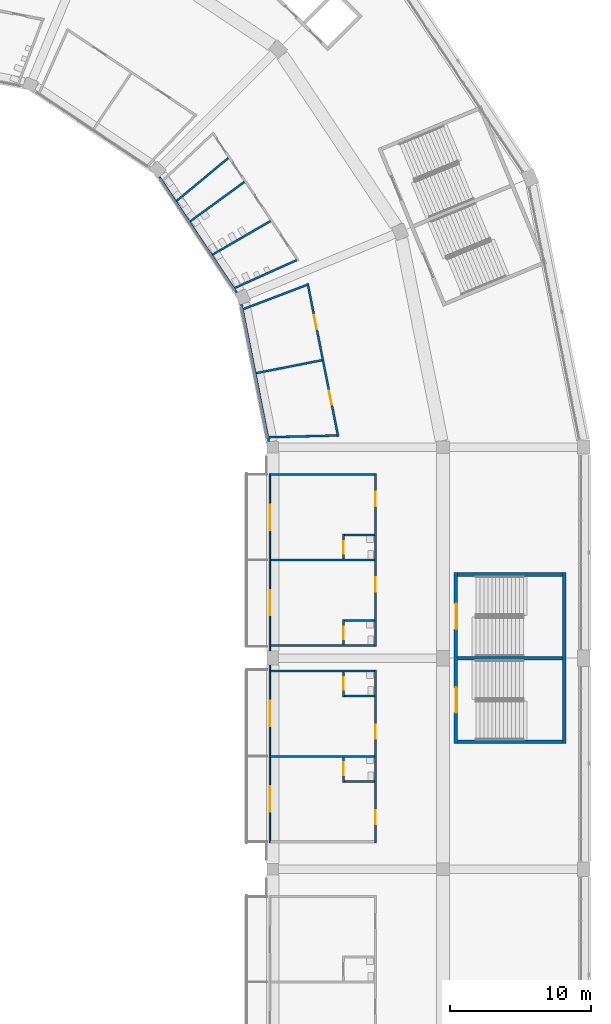
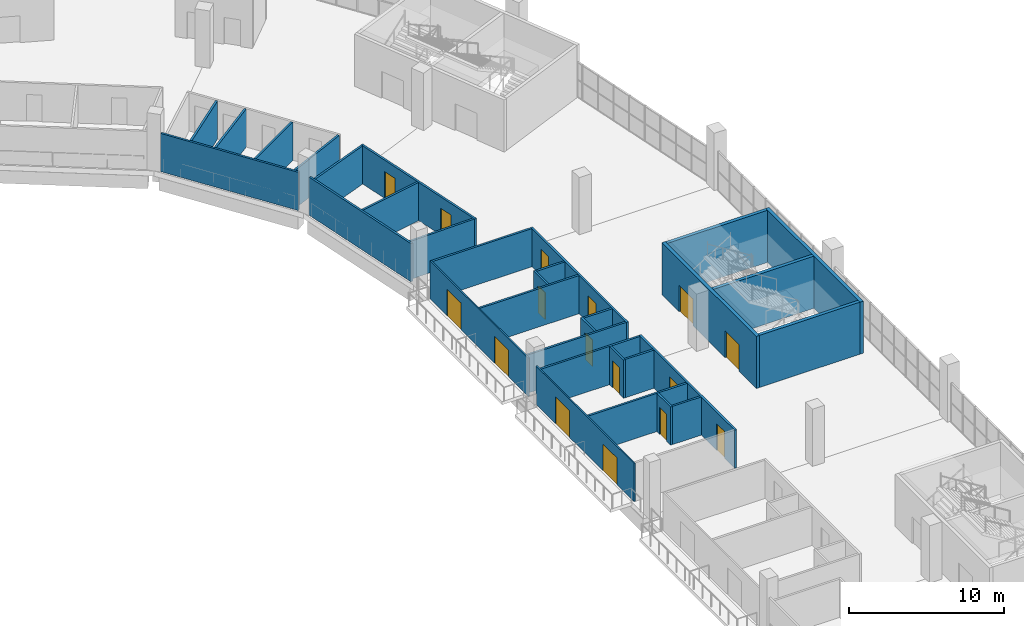
# One storey, part 86 of 199: 32 walls, 16 doors, 16 openings.
"""IFC4 building model written with IfcOpenShell, lengths in metres."""

import ifcopenshell
import ifcopenshell.guid

model = None  # the IFC model being written
_history = None  # IfcOwnerHistory: only IFC2X3 demands one
_inside = {}  # id of a spatial element -> (the spatial element, [elements in it])
_under = {}  # id of a project, library or spatial element -> (it, [spatial elements below it])
_declared = {}  # id of a project -> (the project, [libraries it declares])
_typed = {}  # id of a type object -> (the type object, [elements of that type])
_made_of = {}  # id of a material, layer set ... -> (it, [elements and type objects made of it])


def new_model(schema):
    """Start an empty IFC model of exactly this schema.

    Asked for "IFC4X3", IfcOpenShell would pick the latest addendum, in which some entities
    have other attributes; the version numbers below select the first issue.
    IFC2X3 requires an IfcOwnerHistory on every rooted entity: one is made here for all.
    """
    global model, _history
    if schema == "IFC4X3":
        model = ifcopenshell.file(schema_version=(4, 3, 0, 0))
    else:
        model = ifcopenshell.file(schema=schema)
    _inside.clear()
    _under.clear()
    _declared.clear()
    _typed.clear()
    _made_of.clear()
    _history = None
    if model.schema == "IFC2X3":
        org = make("IfcOrganization", Name="unknown")
        user = make(
            "IfcPersonAndOrganization",
            ThePerson=make("IfcPerson", FamilyName="unknown"),
            TheOrganization=org,
        )
        app = make(
            "IfcApplication",
            ApplicationDeveloper=org,
            Version="unknown",
            ApplicationFullName="unknown",
            ApplicationIdentifier="unknown",
        )
        _history = make(
            "IfcOwnerHistory",
            OwningUser=user,
            OwningApplication=app,
            ChangeAction="ADDED",
            CreationDate=0,
        )
    return model


def make(cls, **values):
    """One entity of the class cls with the attributes given. An attribute that is None is left unset."""
    return model.create_entity(
        cls, **{name: value for name, value in values.items() if value is not None}
    )


def rooted(cls, **values):
    """An entity with a GlobalId (a new one), such as an element, a storey or a relation."""
    return make(cls, GlobalId=ifcopenshell.guid.new(), OwnerHistory=_history, **values)


def si_unit(unit_type, name, prefix=None):
    """IfcSIUnit, for example si_unit("LENGTHUNIT", "METRE", prefix="MILLI")."""
    return make("IfcSIUnit", UnitType=unit_type, Prefix=prefix, Name=name)


def assignment(units):
    """IfcUnitAssignment: the units of a project."""
    return None if units is None else make("IfcUnitAssignment", Units=units)


def point(xyz):
    """IfcCartesianPoint."""
    return None if xyz is None else make("IfcCartesianPoint", Coordinates=xyz)


def direction(xyz):
    """IfcDirection."""
    return None if xyz is None else make("IfcDirection", DirectionRatios=xyz)


def frame(location, z_axis=None, x_axis=None):
    """IfcAxis2Placement3D, a coordinate frame: its origin and axes. An axis left out is left unset."""
    return make(
        "IfcAxis2Placement3D",
        Location=point(location),
        Axis=direction(z_axis),
        RefDirection=direction(x_axis),
    )


def frame_2d(location, x_axis=None):
    """IfcAxis2Placement2D, a coordinate frame in the plane: its origin and x axis."""
    return make(
        "IfcAxis2Placement2D", Location=point(location), RefDirection=direction(x_axis)
    )


def origin():
    """The frame at (0, 0, 0) with its axes left unset."""
    return frame((0.0, 0.0, 0.0))


def place(relative_to, where):
    """IfcLocalPlacement: puts the frame where relative to a parent placement (None: the world)."""
    return make(
        "IfcLocalPlacement", PlacementRelTo=relative_to, RelativePlacement=where
    )


def context(
    kind, dimensions, precision=None, world=None, true_north=None, identifier=None
):
    """IfcGeometricRepresentationContext, for example the 3D "Model" context."""
    return make(
        "IfcGeometricRepresentationContext",
        ContextIdentifier=identifier,
        ContextType=kind,
        CoordinateSpaceDimension=dimensions,
        Precision=precision,
        WorldCoordinateSystem=world,
        TrueNorth=true_north,
    )


def subcontext(parent, identifier, kind, view, scale=None):
    """IfcGeometricRepresentationSubContext, for example "Body" below "Model"."""
    return make(
        "IfcGeometricRepresentationSubContext",
        ContextIdentifier=identifier,
        ContextType=kind,
        ParentContext=parent,
        TargetScale=scale,
        TargetView=view,
    )


def project(units=None, contexts=None):
    """IfcProject with its units and contexts."""
    return rooted(
        "IfcProject",
        Name="project",
        RepresentationContexts=contexts,
        UnitsInContext=assignment(units),
    )


def spatial(cls, under=None, at=None, **own):
    """A site, building, storey or space (cls), placed at a placement, below another one or the project."""
    s = rooted(cls, ObjectPlacement=at, **own)
    if under is not None:
        _under.setdefault(under.id(), (under, []))[1].append(s)
    return s


def profile(cls, at=None, kind="AREA", **sizes):
    """A parametric profile (cls). Its sizes go by their IFC names, for example OverallWidth=200.0."""
    return make(cls, ProfileType=kind, Position=at, **sizes)


def rectangle(**sizes):
    """IfcRectangleProfileDef."""
    return profile("IfcRectangleProfileDef", **sizes)


def extrude(swept, where, along, depth):
    """IfcExtrudedAreaSolid: the profile swept, set in the frame where, extruded along a direction by depth."""
    return make(
        "IfcExtrudedAreaSolid",
        SweptArea=swept,
        Position=where,
        ExtrudedDirection=direction(along),
        Depth=depth,
    )


def shape(context_of_items, identifier, shape_type, items):
    """IfcShapeRepresentation: the items that make up one representation, for example the "Body"."""
    return make(
        "IfcShapeRepresentation",
        ContextOfItems=context_of_items,
        RepresentationIdentifier=identifier,
        RepresentationType=shape_type,
        Items=items,
    )


def material(Name=None, Category=None):
    """IfcMaterial."""
    return make("IfcMaterial", Name=Name, Category=Category)


def layer(
    of_material, thickness, ventilated=None, Name=None, Category=None, Priority=None
):
    """IfcMaterialLayer: one layer of a wall or slab, of a material (None: an air gap)."""
    return make(
        "IfcMaterialLayer",
        Material=of_material,
        LayerThickness=thickness,
        IsVentilated=ventilated,
        Name=Name,
        Category=Category,
        Priority=Priority,
    )


def layer_set(layers, Name=None):
    """IfcMaterialLayerSet."""
    return make("IfcMaterialLayerSet", MaterialLayers=layers, LayerSetName=Name)


def made_of(thing, what):
    """Note that an element or type object is made of a material, layer set ...; save() writes the relation."""
    if what is not None:
        _made_of.setdefault(what.id(), (what, []))[1].append(thing)
    return thing


def type_object(cls, material=None, **own):
    """A type object (cls), such as IfcWallType, which elements share."""
    return made_of(rooted(cls, **own), material)


def element(
    cls,
    number,
    at=None,
    inside=None,
    cuts=None,
    type_object=None,
    material=None,
    context=None,
    identifier="Body",
    shape_type=None,
    held_by="IfcProductDefinitionShape",
    body=None,
    shapes=None,
    **own,
):
    """One element of the class cls, such as IfcWall. Its Tag is "e" and its number.

    at: its placement. inside: the storey or other place that contains it. cuts: it is an
    opening in that element (IfcRelVoidsElement). A single representation is given by context,
    identifier, shape_type and body (its items); several are given by shapes. held_by: the class
    of the entity that holds the representations. save() writes the other relations.
    """
    e = rooted(cls, Tag="e%d" % number, ObjectPlacement=at, **own)
    if body is not None:
        shapes = [shape(context, identifier, shape_type, body)]
    if shapes is not None:
        e.Representation = make(held_by, Representations=shapes)
    if inside is not None:
        _inside.setdefault(inside.id(), (inside, []))[1].append(e)
    if cuts is not None:
        rooted(
            "IfcRelVoidsElement", RelatingBuildingElement=cuts, RelatedOpeningElement=e
        )
    if type_object is not None:
        _typed.setdefault(type_object.id(), (type_object, []))[1].append(e)
    return made_of(e, material)


def fill(opening, filler):
    """IfcRelFillsElement: the door or window that sits in an opening."""
    return rooted(
        "IfcRelFillsElement",
        RelatingOpeningElement=opening,
        RelatedBuildingElement=filler,
    )


def aggregate(whole, parts):
    """IfcRelAggregates: a whole, such as a stair, and the parts it consists of."""
    return rooted("IfcRelAggregates", RelatingObject=whole, RelatedObjects=parts)


def save(model, path):
    """Write the relations noted so far, then the file.

    IfcRelAggregates (storeys below a building ...), IfcRelContainedInSpatialStructure (elements
    in a storey), IfcRelDefinesByType, IfcRelAssociatesMaterial and IfcRelDeclares: one each for
    every whole, place, type object, material and project.
    """
    for whole, parts in _under.values():
        aggregate(whole, parts)
    for where, things in _inside.values():
        rooted(
            "IfcRelContainedInSpatialStructure",
            RelatedElements=things,
            RelatingStructure=where,
        )
    for kind, things in _typed.values():
        rooted("IfcRelDefinesByType", RelatedObjects=things, RelatingType=kind)
    for what, things in _made_of.values():
        rooted("IfcRelAssociatesMaterial", RelatedObjects=things, RelatingMaterial=what)
    for by, libraries in _declared.values():
        rooted("IfcRelDeclares", RelatingContext=by, RelatedDefinitions=libraries)
    model.write(path)


model = new_model("IFC4")

# Units and contexts
model_context = context("Model", 3, precision=1e-05, world=origin(), true_north=direction((0.0, 1.0)))
body_context = subcontext(model_context, "Body", "Model", "MODEL_VIEW")
ifc_project = project(units=[si_unit("LENGTHUNIT", "METRE"), si_unit("AREAUNIT", "SQUARE_METRE"), si_unit("VOLUMEUNIT", "CUBIC_METRE"), si_unit("PLANEANGLEUNIT", "RADIAN"), si_unit("MASSUNIT", "GRAM", prefix="KILO")], contexts=[model_context])

# Site, building, storey
site_placement = place(None, origin())
site = spatial("IfcSite", under=ifc_project, at=site_placement, CompositionType="ELEMENT")
building_placement = place(site_placement, origin())
building = spatial("IfcBuilding", under=site, at=building_placement, Name="Ogive Plaza Stadium", CompositionType="ELEMENT")
storey_placement = place(building_placement, frame((0.0, 0.0, 9.0)))
storey = spatial("IfcBuildingStorey", under=building, at=storey_placement, Name="L02", CompositionType="ELEMENT", Elevation=9.0)

# Wall, openings, doors
ifc_material_1 = material(Name="Masonry blockwork", Category="masonry")
ifc_layer_1 = layer(ifc_material_1, 0.14990234375)
ifc_layer_set_1 = layer_set([ifc_layer_1], Name="Blockwork wall 150")
wall_type_1 = type_object("IfcWallType", Name="Blockwork wall 150", PredefinedType="SOLIDWALL", material=ifc_layer_set_1)
wall_1_placement = place(storey_placement, frame((69.199951171875, 38.324951171875, 0.0), z_axis=(0.0, 0.0, 1.0), x_axis=(0.0, 1.0, 0.0)))
wall_1 = element("IfcWall", 1, at=wall_1_placement, inside=storey, type_object=wall_type_1, Name="Wall L02 B01", PredefinedType="SOLIDWALL", context=body_context, shape_type="SweptSolid", body=[
    extrude(rectangle(XDim=12.300048828125, YDim=0.14990234375, at=frame_2d((6.14990234375, 0.0))), origin(), (0.0, 0.0, 1.0), 3.0),
])
opening_1_placement = place(wall_1_placement, frame((3.916015625, 0.0, 0.0)))
opening_1 = element("IfcOpeningElement", 2, at=opening_1_placement, cuts=wall_1, Name="Opening D0605", PredefinedType="OPENING", context=body_context, shape_type="SweptSolid", body=[
    extrude(rectangle(XDim=1.0, YDim=2.10009765625, at=frame_2d((0.5, 1.050048828125))), frame((0.0, 0.074951171875, 0.0), z_axis=(0.0, -1.0, 0.0), x_axis=(1.0, 0.0, 0.0)), (0.0, 0.0, 1.0), 0.14990234375),
])
opening_2_placement = place(wall_1_placement, frame((9.990966796875, 0.0, 0.0)))
opening_2 = element("IfcOpeningElement", 3, at=opening_2_placement, cuts=wall_1, Name="Opening D0606", PredefinedType="OPENING", context=body_context, shape_type="SweptSolid", body=[
    extrude(rectangle(XDim=1.0, YDim=2.10009765625, at=frame_2d((0.5, 1.050048828125))), frame((0.0, 0.074951171875, 0.0), z_axis=(0.0, -1.0, 0.0), x_axis=(1.0, 0.0, 0.0)), (0.0, 0.0, 1.0), 0.14990234375),
])
ifc_material_2 = material(Name="Steel ASTM A572 Grade 50", Category="steel")
door_type_1 = type_object("IfcDoorType", Name="Fire door FD30S 1000 x 2100", OperationType="SINGLE_SWING_LEFT", PredefinedType="DOOR", material=ifc_material_2)
door_1_placement = place(opening_1_placement, origin())
door_1 = element("IfcDoor", 4, at=door_1_placement, inside=storey, type_object=door_type_1, Name="Hospitality Suite B01 door", OperationType="SINGLE_SWING_LEFT", OverallHeight=2.10009765625, OverallWidth=1.0, PredefinedType="DOOR", context=body_context, shape_type="SweptSolid", body=[
    extrude(rectangle(XDim=1.0, YDim=2.10009765625, at=frame_2d((0.5, 1.050048828125))), frame((0.0, 0.02490234375, 0.0), z_axis=(0.0, -1.0, 0.0), x_axis=(1.0, 0.0, 0.0)), (0.0, 0.0, 1.0), 0.050048828125),
])
fill(opening_1, door_1)
door_2_placement = place(opening_2_placement, origin())
door_2 = element("IfcDoor", 5, at=door_2_placement, inside=storey, type_object=door_type_1, Name="Hospitality Suite B01 door", OperationType="SINGLE_SWING_LEFT", OverallHeight=2.10009765625, OverallWidth=1.0, PredefinedType="DOOR", context=body_context, shape_type="SweptSolid", body=[
    extrude(rectangle(XDim=1.0, YDim=2.10009765625, at=frame_2d((0.5, 1.050048828125))), frame((0.0, 0.02490234375, 0.0), z_axis=(0.0, -1.0, 0.0), x_axis=(1.0, 0.0, 0.0)), (0.0, 0.0, 1.0), 0.050048828125),
])
fill(opening_2, door_2)

# Walls
for number, where, z_axis, x_axis, name in (
    (6, (61.75, 38.39990234375, 0.0), (0.0, 0.0, 1.0), (1.0, 0.0, 0.0), "Wall L02 B01"),
    (7, (61.75, 44.47509765625, 0.0), (0.0, 0.0, 1.0), (1.0, 0.0, 0.0), "Wall L02 B01"),
    (8, (61.75, 50.550048828125, 0.0), (0.0, 0.0, 1.0), (1.0, 0.0, 0.0), "Wall L02 B01"),
):
    element("IfcWall", number, at=place(storey_placement, frame(where, z_axis=z_axis, x_axis=x_axis)), inside=storey, type_object=wall_type_1, Name=name, PredefinedType="SOLIDWALL", context=body_context, shape_type="SweptSolid", body=[
        extrude(rectangle(XDim=7.375, YDim=0.14990234375, at=frame_2d((3.6875, 0.0))), origin(), (0.0, 0.0, 1.0), 3.0),
    ])

# Wall, openings, doors
wall_2_placement = place(storey_placement, frame((69.199951171875, 36.675048828125, 0.0), z_axis=(0.0, 0.0, 1.0), x_axis=(0.0, -1.0, 0.0)))
wall_2 = element("IfcWall", 9, at=wall_2_placement, inside=storey, type_object=wall_type_1, Name="Wall L02 B02", PredefinedType="SOLIDWALL", context=body_context, shape_type="SweptSolid", body=[
    extrude(rectangle(XDim=12.300048828125, YDim=0.14990234375, at=frame_2d((6.14990234375, 0.0))), origin(), (0.0, 0.0, 1.0), 3.0),
])
opening_3_placement = place(wall_2_placement, frame((3.916015625, 0.0, 0.0)))
opening_3 = element("IfcOpeningElement", 10, at=opening_3_placement, cuts=wall_2, Name="Opening D0611", PredefinedType="OPENING", context=body_context, shape_type="SweptSolid", body=[
    extrude(rectangle(XDim=1.0, YDim=2.10009765625, at=frame_2d((0.5, 1.050048828125))), frame((0.0, 0.074951171875, 0.0), z_axis=(0.0, -1.0, 0.0), x_axis=(1.0, 0.0, 0.0)), (0.0, 0.0, 1.0), 0.14990234375),
])
opening_4_placement = place(wall_2_placement, frame((9.990966796875, 0.0, 0.0)))
opening_4 = element("IfcOpeningElement", 11, at=opening_4_placement, cuts=wall_2, Name="Opening D0612", PredefinedType="OPENING", context=body_context, shape_type="SweptSolid", body=[
    extrude(rectangle(XDim=1.0, YDim=2.10009765625, at=frame_2d((0.5, 1.050048828125))), frame((0.0, 0.074951171875, 0.0), z_axis=(0.0, -1.0, 0.0), x_axis=(1.0, 0.0, 0.0)), (0.0, 0.0, 1.0), 0.14990234375),
])
door_3_placement = place(opening_3_placement, origin())
door_3 = element("IfcDoor", 12, at=door_3_placement, inside=storey, type_object=door_type_1, Name="Hospitality Suite B02 door", OperationType="SINGLE_SWING_RIGHT", OverallHeight=2.10009765625, OverallWidth=1.0, PredefinedType="DOOR", context=body_context, shape_type="SweptSolid", body=[
    extrude(rectangle(XDim=1.0, YDim=2.10009765625, at=frame_2d((0.5, 1.050048828125))), frame((0.0, 0.02490234375, 0.0), z_axis=(0.0, -1.0, 0.0), x_axis=(1.0, 0.0, 0.0)), (0.0, 0.0, 1.0), 0.050048828125),
])
fill(opening_3, door_3)
door_4_placement = place(opening_4_placement, origin())
door_4 = element("IfcDoor", 13, at=door_4_placement, inside=storey, type_object=door_type_1, Name="Hospitality Suite B02 door", OperationType="SINGLE_SWING_RIGHT", OverallHeight=2.10009765625, OverallWidth=1.0, PredefinedType="DOOR", context=body_context, shape_type="SweptSolid", body=[
    extrude(rectangle(XDim=1.0, YDim=2.10009765625, at=frame_2d((0.5, 1.050048828125))), frame((0.0, 0.02490234375, 0.0), z_axis=(0.0, -1.0, 0.0), x_axis=(1.0, 0.0, 0.0)), (0.0, 0.0, 1.0), 0.050048828125),
])
fill(opening_4, door_4)

# Walls
for number, where, z_axis, x_axis, name in (
    (14, (61.75, 36.60009765625, 0.0), (0.0, 0.0, 1.0), (1.0, 0.0, 0.0), "Wall L02 B02"),
    (15, (61.75, 30.52490234375, 0.0), (0.0, 0.0, 1.0), (1.0, 0.0, 0.0), "Wall L02 B02"),
):
    element("IfcWall", number, at=place(storey_placement, frame(where, z_axis=z_axis, x_axis=x_axis)), inside=storey, type_object=wall_type_1, Name=name, PredefinedType="SOLIDWALL", context=body_context, shape_type="SweptSolid", body=[
        extrude(rectangle(XDim=7.375, YDim=0.14990234375, at=frame_2d((3.6875, 0.0))), origin(), (0.0, 0.0, 1.0), 3.0),
    ])
wall_3_placement = place(storey_placement, frame((59.680908203125, 62.650390625, 0.0), z_axis=(0.0, 0.0, 1.0), x_axis=(0.195086492048, -0.980786042223, 0.0)))
element("IfcWall", 16, at=wall_3_placement, inside=storey, type_object=wall_type_1, Name="Wall L02 B40", PredefinedType="SOLIDWALL", context=body_context, shape_type="SweptSolid", body=[
    extrude(rectangle(XDim=9.94140625, YDim=0.14990234375, at=frame_2d((4.970703125, 0.0))), origin(), (0.0, 0.0, 1.0), 3.0),
])

# Wall, openings, doors
wall_4_placement = place(storey_placement, frame((64.38525390625, 64.1376953125, 0.0), z_axis=(0.0, 0.0, 1.0), x_axis=(0.195083899224, -0.980786557954, 0.0)))
wall_4 = element("IfcWall", 17, at=wall_4_placement, inside=storey, type_object=wall_type_1, Name="Wall L02 B40", PredefinedType="SOLIDWALL", context=body_context, shape_type="SweptSolid", body=[
    extrude(rectangle(XDim=11.09912109375, YDim=0.14990234375, at=frame_2d((5.549560546875, 0.0))), origin(), (0.0, 0.0, 1.0), 3.0),
])
opening_5_placement = place(wall_4_placement, frame((2.3154296875, 0.0, 0.0)))
opening_5 = element("IfcOpeningElement", 18, at=opening_5_placement, cuts=wall_4, Name="Opening D0747", PredefinedType="OPENING", context=body_context, shape_type="SweptSolid", body=[
    extrude(rectangle(XDim=1.0, YDim=2.10009765625, at=frame_2d((0.5, 1.050048828125))), frame((0.0, 0.074951171875, 0.0), z_axis=(0.0, -1.0, 0.0), x_axis=(1.0, 0.0, 0.0)), (0.0, 0.0, 1.0), 0.14990234375),
])
opening_6_placement = place(wall_4_placement, frame((7.78369140625, 0.0, 0.0)))
opening_6 = element("IfcOpeningElement", 19, at=opening_6_placement, cuts=wall_4, Name="Opening D0748", PredefinedType="OPENING", context=body_context, shape_type="SweptSolid", body=[
    extrude(rectangle(XDim=1.0, YDim=2.10009765625, at=frame_2d((0.5, 1.050048828125))), frame((0.0, 0.074951171875, 0.0), z_axis=(0.0, -1.0, 0.0), x_axis=(1.0, 0.0, 0.0)), (0.0, 0.0, 1.0), 0.14990234375),
])
ifc_material_3 = material(Name="Steel ASTM A572 Grade 50", Category="steel")
door_type_2 = type_object("IfcDoorType", Name="Fire door FD60 1000 x 2100", OperationType="SINGLE_SWING_LEFT", PredefinedType="DOOR", material=ifc_material_3)
door_5_placement = place(opening_5_placement, origin())
door_5 = element("IfcDoor", 20, at=door_5_placement, inside=storey, type_object=door_type_2, Name="Hospitality Pantry B40 door", OperationType="SINGLE_SWING_LEFT", OverallHeight=2.10009765625, OverallWidth=1.0, PredefinedType="DOOR", context=body_context, shape_type="SweptSolid", body=[
    extrude(rectangle(XDim=1.0, YDim=2.10009765625, at=frame_2d((0.5, 1.050048828125))), frame((0.0, 0.02490234375, 0.0), z_axis=(0.0, -1.0, 0.0), x_axis=(1.0, 0.0, 0.0)), (0.0, 0.0, 1.0), 0.050048828125),
])
fill(opening_5, door_5)
door_6_placement = place(opening_6_placement, origin())
door_6 = element("IfcDoor", 21, at=door_6_placement, inside=storey, type_object=door_type_2, Name="Hospitality Store B40 door", OperationType="SINGLE_SWING_RIGHT", OverallHeight=2.10009765625, OverallWidth=1.0, PredefinedType="DOOR", context=body_context, shape_type="SweptSolid", body=[
    extrude(rectangle(XDim=1.0, YDim=2.10009765625, at=frame_2d((0.5, 1.050048828125))), frame((0.0, 0.02490234375, 0.0), z_axis=(0.0, -1.0, 0.0), x_axis=(1.0, 0.0, 0.0)), (0.0, 0.0, 1.0), 0.050048828125),
])
fill(opening_6, door_6)

# Walls
wall_5_placement = place(storey_placement, frame((59.822265625, 62.317138671875, 0.0), z_axis=(0.0, 0.0, 1.0), x_axis=(0.934720041951, 0.35538492255, 0.0)))
element("IfcWall", 22, at=wall_5_placement, inside=storey, type_object=wall_type_1, Name="Wall L02 B40", PredefinedType="SOLIDWALL", context=body_context, shape_type="SweptSolid", body=[
    extrude(rectangle(XDim=4.823974609375, YDim=0.14990234375, at=frame_2d((2.412109375, 0.0))), origin(), (0.0, 0.0, 1.0), 3.0),
])
wall_6_placement = place(storey_placement, frame((60.728271484375, 57.76171875, 0.0), z_axis=(0.0, 0.0, 1.0), x_axis=(0.981172300115, 0.19313445443, 0.0)))
element("IfcWall", 23, at=wall_6_placement, inside=storey, type_object=wall_type_1, Name="Wall L02 B40", PredefinedType="SOLIDWALL", context=body_context, shape_type="SweptSolid", body=[
    extrude(rectangle(XDim=4.7568359375, YDim=0.14990234375, at=frame_2d((2.37841796875, 0.0))), origin(), (0.0, 0.0, 1.0), 3.0),
])
wall_7_placement = place(storey_placement, frame((61.634521484375, 53.206298828125, 0.0), z_axis=(0.0, 0.0, 1.0), x_axis=(0.999673752981, 0.025541879345, 0.0)))
element("IfcWall", 24, at=wall_7_placement, inside=storey, type_object=wall_type_1, Name="Wall L02 B40", PredefinedType="SOLIDWALL", context=body_context, shape_type="SweptSolid", body=[
    extrude(rectangle(XDim=4.826904296875, YDim=0.14990234375, at=frame_2d((2.41357421875, 0.0))), origin(), (0.0, 0.0, 1.0), 3.0),
])

# Wall, openings, doors
ifc_material_4 = material(Name="Concrete C40/50", Category="concrete")
ifc_layer_2 = layer(ifc_material_4, 0.25)
ifc_layer_set_2 = layer_set([ifc_layer_2], Name="Concrete C40/50")
wall_type_2 = type_object("IfcWallType", Name="Core wall 250", PredefinedType="SHEAR", material=ifc_layer_set_2)
wall_8_placement = place(storey_placement, frame((74.925048828125, 31.425048828125, 0.0), z_axis=(0.0, 0.0, 1.0), x_axis=(0.0, 1.0, 0.0)))
wall_8 = element("IfcWall", 25, at=wall_8_placement, inside=storey, type_object=wall_type_2, Name="Stair core R02 inner wall", PredefinedType="SHEAR", context=body_context, shape_type="SweptSolid", body=[
    extrude(rectangle(XDim=12.14990234375, YDim=0.25, at=frame_2d((6.074951171875, 0.0))), origin(), (0.0, 0.0, 1.0), 4.090087890625),
])
opening_7_placement = place(wall_8_placement, frame((2.199951171875, 0.0, 0.0)))
opening_7 = element("IfcOpeningElement", 26, at=opening_7_placement, cuts=wall_8, Name="Opening D0047", PredefinedType="OPENING", context=body_context, shape_type="SweptSolid", body=[
    extrude(rectangle(XDim=1.800048828125, YDim=2.10009765625, at=frame_2d((0.89990234375, 1.050048828125))), frame((0.0, 0.125, 0.0), z_axis=(0.0, -1.0, 0.0), x_axis=(1.0, 0.0, 0.0)), (0.0, 0.0, 1.0), 0.25),
])
opening_8_placement = place(wall_8_placement, frame((8.14990234375, 0.0, 0.0)))
opening_8 = element("IfcOpeningElement", 27, at=opening_8_placement, cuts=wall_8, Name="Opening D0048", PredefinedType="OPENING", context=body_context, shape_type="SweptSolid", body=[
    extrude(rectangle(XDim=1.800048828125, YDim=2.10009765625, at=frame_2d((0.89990234375, 1.050048828125))), frame((0.0, 0.125, 0.0), z_axis=(0.0, -1.0, 0.0), x_axis=(1.0, 0.0, 0.0)), (0.0, 0.0, 1.0), 0.25),
])
ifc_material_5 = material(Name="Steel ASTM A572 Grade 50", Category="steel")
door_type_3 = type_object("IfcDoorType", Name="Fire door FD90 pair 1800 x 2100", OperationType="DOUBLE_DOOR_SINGLE_SWING", PredefinedType="DOOR", material=ifc_material_5)
door_7_placement = place(opening_7_placement, origin())
door_7 = element("IfcDoor", 28, at=door_7_placement, inside=storey, type_object=door_type_3, Name="Exit stair R02A door L02", OperationType="DOUBLE_DOOR_SINGLE_SWING", OverallHeight=2.10009765625, OverallWidth=1.800048828125, PredefinedType="DOOR", context=body_context, shape_type="SweptSolid", body=[
    extrude(rectangle(XDim=1.800048828125, YDim=2.10009765625, at=frame_2d((0.89990234375, 1.050048828125))), frame((0.0, 0.02490234375, 0.0), z_axis=(0.0, -1.0, 0.0), x_axis=(1.0, 0.0, 0.0)), (0.0, 0.0, 1.0), 0.050048828125),
])
fill(opening_7, door_7)
door_8_placement = place(opening_8_placement, origin())
door_8 = element("IfcDoor", 29, at=door_8_placement, inside=storey, type_object=door_type_3, Name="Exit stair R02B door L02", OperationType="DOUBLE_DOOR_SINGLE_SWING", OverallHeight=2.10009765625, OverallWidth=1.800048828125, PredefinedType="DOOR", context=body_context, shape_type="SweptSolid", body=[
    extrude(rectangle(XDim=1.800048828125, YDim=2.10009765625, at=frame_2d((0.89990234375, 1.050048828125))), frame((0.0, 0.02490234375, 0.0), z_axis=(0.0, -1.0, 0.0), x_axis=(1.0, 0.0, 0.0)), (0.0, 0.0, 1.0), 0.050048828125),
])
fill(opening_8, door_8)

# Walls
wall_9_placement = place(storey_placement, frame((82.635009765625, 31.425048828125, 0.0), z_axis=(0.0, 0.0, 1.0), x_axis=(0.0, 1.0, 0.0)))
element("IfcWall", 30, at=wall_9_placement, inside=storey, type_object=wall_type_2, Name="Stair core R02 outer wall", PredefinedType="SHEAR", context=body_context, shape_type="SweptSolid", body=[
    extrude(rectangle(XDim=12.14990234375, YDim=0.25, at=frame_2d((6.074951171875, 0.0))), origin(), (0.0, 0.0, 1.0), 4.090087890625),
])
for number, where, z_axis, x_axis, name in (
    (31, (75.050048828125, 31.550048828125, 0.0), (0.0, 0.0, 1.0), (1.0, 0.0, 0.0), "Stair core R02 side wall"),
    (32, (75.050048828125, 43.449951171875, 0.0), (0.0, 0.0, 1.0), (1.0, 0.0, 0.0), "Stair core R02 side wall"),
    (33, (75.050048828125, 37.5, 0.0), (0.0, 0.0, 1.0), (1.0, 0.0, 0.0), "Stair core R02 centre wall"),
):
    element("IfcWall", number, at=place(storey_placement, frame(where, z_axis=z_axis, x_axis=x_axis)), inside=storey, type_object=wall_type_2, Name=name, PredefinedType="SHEAR", context=body_context, shape_type="SweptSolid", body=[
        extrude(rectangle(XDim=7.4599609375, YDim=0.25, at=frame_2d((3.72998046875, 0.0))), origin(), (0.0, 0.0, 1.0), 4.090087890625),
    ])

# Wall, openings, doors
ifc_material_6 = material(Name="Laminated glass in aluminium frame", Category="aluminium")
ifc_layer_3 = layer(ifc_material_6, 0.10009765625)
ifc_layer_set_3 = layer_set([ifc_layer_3], Name="Glazed partition 100")
wall_type_3 = type_object("IfcWallType", Name="Glazed partition 100", PredefinedType="PARTITIONING", material=ifc_layer_set_3)
wall_10_placement = place(storey_placement, frame((61.699951171875, 38.0, 0.0), z_axis=(0.0, 0.0, 1.0), x_axis=(0.0, 1.0, 0.0)))
wall_10 = element("IfcWall", 34, at=wall_10_placement, inside=storey, type_object=wall_type_3, Name="Wall L02 B01", PredefinedType="PARTITIONING", context=body_context, shape_type="SweptSolid", body=[
    extrude(rectangle(XDim=12.625, YDim=0.10009765625, at=frame_2d((6.3125, 0.0))), origin(), (0.0, 0.0, 1.0), 3.0),
])
opening_9_placement = place(wall_10_placement, frame((2.53759765625, 0.0, 0.0)))
opening_9 = element("IfcOpeningElement", 35, at=opening_9_placement, cuts=wall_10, Name="Opening D0607", PredefinedType="OPENING", context=body_context, shape_type="SweptSolid", body=[
    extrude(rectangle(XDim=1.800048828125, YDim=2.10009765625, at=frame_2d((0.89990234375, 1.050048828125))), frame((0.0, 0.050048828125, 0.0), z_axis=(0.0, -1.0, 0.0), x_axis=(1.0, 0.0, 0.0)), (0.0, 0.0, 1.0), 0.10009765625),
])
opening_10_placement = place(wall_10_placement, frame((8.612548828125, 0.0, 0.0)))
opening_10 = element("IfcOpeningElement", 36, at=opening_10_placement, cuts=wall_10, Name="Opening D0608", PredefinedType="OPENING", context=body_context, shape_type="SweptSolid", body=[
    extrude(rectangle(XDim=1.800048828125, YDim=2.10009765625, at=frame_2d((0.89990234375, 1.050048828125))), frame((0.0, 0.050048828125, 0.0), z_axis=(0.0, -1.0, 0.0), x_axis=(1.0, 0.0, 0.0)), (0.0, 0.0, 1.0), 0.10009765625),
])
ifc_material_7 = material(Name="Steel ASTM A572 Grade 50", Category="steel")
door_type_4 = type_object("IfcDoorType", Name="Door pair 1800 x 2100", OperationType="DOUBLE_DOOR_SINGLE_SWING", PredefinedType="DOOR", material=ifc_material_7)
door_9_placement = place(opening_9_placement, origin())
door_9 = element("IfcDoor", 37, at=door_9_placement, inside=storey, type_object=door_type_4, Name="Suite terrace door B01", OperationType="DOUBLE_DOOR_SINGLE_SWING", OverallHeight=2.10009765625, OverallWidth=1.800048828125, PredefinedType="DOOR", context=body_context, shape_type="SweptSolid", body=[
    extrude(rectangle(XDim=1.800048828125, YDim=2.10009765625, at=frame_2d((0.89990234375, 1.050048828125))), frame((0.0, 0.02490234375, 0.0), z_axis=(0.0, -1.0, 0.0), x_axis=(1.0, 0.0, 0.0)), (0.0, 0.0, 1.0), 0.050048828125),
])
fill(opening_9, door_9)
door_10_placement = place(opening_10_placement, origin())
door_10 = element("IfcDoor", 38, at=door_10_placement, inside=storey, type_object=door_type_4, Name="Suite terrace door B01", OperationType="DOUBLE_DOOR_SINGLE_SWING", OverallHeight=2.10009765625, OverallWidth=1.800048828125, PredefinedType="DOOR", context=body_context, shape_type="SweptSolid", body=[
    extrude(rectangle(XDim=1.800048828125, YDim=2.10009765625, at=frame_2d((0.89990234375, 1.050048828125))), frame((0.0, 0.02490234375, 0.0), z_axis=(0.0, -1.0, 0.0), x_axis=(1.0, 0.0, 0.0)), (0.0, 0.0, 1.0), 0.050048828125),
])
fill(opening_10, door_10)

wall_11_placement = place(storey_placement, frame((61.699951171875, 37.0, 0.0), z_axis=(0.0, 0.0, 1.0), x_axis=(0.0, -1.0, 0.0)))
wall_11 = element("IfcWall", 39, at=wall_11_placement, inside=storey, type_object=wall_type_3, Name="Wall L02 B02", PredefinedType="PARTITIONING", context=body_context, shape_type="SweptSolid", body=[
    extrude(rectangle(XDim=12.625, YDim=0.10009765625, at=frame_2d((6.3125, 0.0))), origin(), (0.0, 0.0, 1.0), 3.0),
])
opening_11_placement = place(wall_11_placement, frame((2.53759765625, 0.0, 0.0)))
opening_11 = element("IfcOpeningElement", 40, at=opening_11_placement, cuts=wall_11, Name="Opening D0613", PredefinedType="OPENING", context=body_context, shape_type="SweptSolid", body=[
    extrude(rectangle(XDim=1.800048828125, YDim=2.10009765625, at=frame_2d((0.89990234375, 1.050048828125))), frame((0.0, 0.050048828125, 0.0), z_axis=(0.0, -1.0, 0.0), x_axis=(1.0, 0.0, 0.0)), (0.0, 0.0, 1.0), 0.10009765625),
])
opening_12_placement = place(wall_11_placement, frame((8.612548828125, 0.0, 0.0)))
opening_12 = element("IfcOpeningElement", 41, at=opening_12_placement, cuts=wall_11, Name="Opening D0614", PredefinedType="OPENING", context=body_context, shape_type="SweptSolid", body=[
    extrude(rectangle(XDim=1.800048828125, YDim=2.10009765625, at=frame_2d((0.89990234375, 1.050048828125))), frame((0.0, 0.050048828125, 0.0), z_axis=(0.0, -1.0, 0.0), x_axis=(1.0, 0.0, 0.0)), (0.0, 0.0, 1.0), 0.10009765625),
])
door_11_placement = place(opening_11_placement, origin())
door_11 = element("IfcDoor", 42, at=door_11_placement, inside=storey, type_object=door_type_4, Name="Suite terrace door B02", OperationType="DOUBLE_DOOR_SINGLE_SWING", OverallHeight=2.10009765625, OverallWidth=1.800048828125, PredefinedType="DOOR", context=body_context, shape_type="SweptSolid", body=[
    extrude(rectangle(XDim=1.800048828125, YDim=2.10009765625, at=frame_2d((0.89990234375, 1.050048828125))), frame((0.0, 0.02490234375, 0.0), z_axis=(0.0, -1.0, 0.0), x_axis=(1.0, 0.0, 0.0)), (0.0, 0.0, 1.0), 0.050048828125),
])
fill(opening_11, door_11)
door_12_placement = place(opening_12_placement, origin())
door_12 = element("IfcDoor", 43, at=door_12_placement, inside=storey, type_object=door_type_4, Name="Suite terrace door B02", OperationType="DOUBLE_DOOR_SINGLE_SWING", OverallHeight=2.10009765625, OverallWidth=1.800048828125, PredefinedType="DOOR", context=body_context, shape_type="SweptSolid", body=[
    extrude(rectangle(XDim=1.800048828125, YDim=2.10009765625, at=frame_2d((0.89990234375, 1.050048828125))), frame((0.0, 0.02490234375, 0.0), z_axis=(0.0, -1.0, 0.0), x_axis=(1.0, 0.0, 0.0)), (0.0, 0.0, 1.0), 0.050048828125),
])
fill(opening_12, door_12)

# Wall, opening, door
ifc_material_8 = material(Name="Gypsum board partition", Category="gypsum")
ifc_layer_4 = layer(ifc_material_8, 0.14990234375)
ifc_layer_set_4 = layer_set([ifc_layer_4], Name="Partition 150")
wall_type_4 = type_object("IfcWallType", Name="Partition 150", PredefinedType="PARTITIONING", material=ifc_layer_set_4)
wall_12_placement = place(storey_placement, frame((66.925048828125, 38.47509765625, 0.0), z_axis=(0.0, 0.0, 1.0), x_axis=(0.0, 1.0, 0.0)))
wall_12 = element("IfcWall", 44, at=wall_12_placement, inside=storey, type_object=wall_type_4, Name="Wall L02 B01", PredefinedType="PARTITIONING", context=body_context, shape_type="SweptSolid", body=[
    extrude(rectangle(XDim=1.77490234375, YDim=0.14990234375, at=frame_2d((0.887451171875, 0.0))), origin(), (0.0, 0.0, 1.0), 3.0),
])
opening_13_placement = place(wall_12_placement, frame((0.362548828125, 0.0, 0.0)))
opening_13 = element("IfcOpeningElement", 45, at=opening_13_placement, cuts=wall_12, Name="Opening D0609", PredefinedType="OPENING", context=body_context, shape_type="SweptSolid", body=[
    extrude(rectangle(XDim=0.89990234375, YDim=2.10009765625, at=frame_2d((0.449951171875, 1.050048828125))), frame((0.0, 0.074951171875, 0.0), z_axis=(0.0, -1.0, 0.0), x_axis=(1.0, 0.0, 0.0)), (0.0, 0.0, 1.0), 0.14990234375),
])
ifc_material_9 = material(Name="Steel ASTM A572 Grade 50", Category="steel")
door_type_5 = type_object("IfcDoorType", Name="Door 900 x 2100", OperationType="SINGLE_SWING_LEFT", PredefinedType="DOOR", material=ifc_material_9)
door_13_placement = place(opening_13_placement, origin())
door_13 = element("IfcDoor", 46, at=door_13_placement, inside=storey, type_object=door_type_5, Name="Suite WC B01 door", OperationType="SINGLE_SWING_RIGHT", OverallHeight=2.10009765625, OverallWidth=0.89990234375, PredefinedType="DOOR", context=body_context, shape_type="SweptSolid", body=[
    extrude(rectangle(XDim=0.89990234375, YDim=2.10009765625, at=frame_2d((0.449951171875, 1.050048828125))), frame((0.0, 0.02490234375, 0.0), z_axis=(0.0, -1.0, 0.0), x_axis=(1.0, 0.0, 0.0)), (0.0, 0.0, 1.0), 0.050048828125),
])
fill(opening_13, door_13)

# Wall
wall_13_placement = place(storey_placement, frame((67.0, 40.175048828125, 0.0), z_axis=(0.0, 0.0, 1.0), x_axis=(1.0, 0.0, 0.0)))
element("IfcWall", 47, at=wall_13_placement, inside=storey, type_object=wall_type_4, Name="Wall L02 B01", PredefinedType="PARTITIONING", context=body_context, shape_type="SweptSolid", body=[
    extrude(rectangle(XDim=2.125, YDim=0.14990234375, at=frame_2d((1.0625, 0.0))), origin(), (0.0, 0.0, 1.0), 3.0),
])

# Wall, opening, door
wall_14_placement = place(storey_placement, frame((66.925048828125, 44.550048828125, 0.0), z_axis=(0.0, 0.0, 1.0), x_axis=(0.0, 1.0, 0.0)))
wall_14 = element("IfcWall", 48, at=wall_14_placement, inside=storey, type_object=wall_type_4, Name="Wall L02 B01", PredefinedType="PARTITIONING", context=body_context, shape_type="SweptSolid", body=[
    extrude(rectangle(XDim=1.77490234375, YDim=0.14990234375, at=frame_2d((0.887451171875, 0.0))), origin(), (0.0, 0.0, 1.0), 3.0),
])
opening_14_placement = place(wall_14_placement, frame((0.362548828125, 0.0, 0.0)))
opening_14 = element("IfcOpeningElement", 49, at=opening_14_placement, cuts=wall_14, Name="Opening D0610", PredefinedType="OPENING", context=body_context, shape_type="SweptSolid", body=[
    extrude(rectangle(XDim=0.89990234375, YDim=2.10009765625, at=frame_2d((0.449951171875, 1.050048828125))), frame((0.0, 0.074951171875, 0.0), z_axis=(0.0, -1.0, 0.0), x_axis=(1.0, 0.0, 0.0)), (0.0, 0.0, 1.0), 0.14990234375),
])
door_14_placement = place(opening_14_placement, origin())
door_14 = element("IfcDoor", 50, at=door_14_placement, inside=storey, type_object=door_type_5, Name="Suite WC B01 door", OperationType="SINGLE_SWING_LEFT", OverallHeight=2.10009765625, OverallWidth=0.89990234375, PredefinedType="DOOR", context=body_context, shape_type="SweptSolid", body=[
    extrude(rectangle(XDim=0.89990234375, YDim=2.10009765625, at=frame_2d((0.449951171875, 1.050048828125))), frame((0.0, 0.02490234375, 0.0), z_axis=(0.0, -1.0, 0.0), x_axis=(1.0, 0.0, 0.0)), (0.0, 0.0, 1.0), 0.050048828125),
])
fill(opening_14, door_14)

# Wall
wall_15_placement = place(storey_placement, frame((67.0, 46.25, 0.0), z_axis=(0.0, 0.0, 1.0), x_axis=(1.0, 0.0, 0.0)))
element("IfcWall", 51, at=wall_15_placement, inside=storey, type_object=wall_type_4, Name="Wall L02 B01", PredefinedType="PARTITIONING", context=body_context, shape_type="SweptSolid", body=[
    extrude(rectangle(XDim=2.125, YDim=0.14990234375, at=frame_2d((1.0625, 0.0))), origin(), (0.0, 0.0, 1.0), 3.0),
])

# Wall, opening, door
wall_16_placement = place(storey_placement, frame((66.925048828125, 36.52490234375, 0.0), z_axis=(0.0, 0.0, 1.0), x_axis=(0.0, -1.0, 0.0)))
wall_16 = element("IfcWall", 52, at=wall_16_placement, inside=storey, type_object=wall_type_4, Name="Wall L02 B02", PredefinedType="PARTITIONING", context=body_context, shape_type="SweptSolid", body=[
    extrude(rectangle(XDim=1.77490234375, YDim=0.14990234375, at=frame_2d((0.887451171875, 0.0))), origin(), (0.0, 0.0, 1.0), 3.0),
])
opening_15_placement = place(wall_16_placement, frame((0.362548828125, 0.0, 0.0)))
opening_15 = element("IfcOpeningElement", 53, at=opening_15_placement, cuts=wall_16, Name="Opening D0615", PredefinedType="OPENING", context=body_context, shape_type="SweptSolid", body=[
    extrude(rectangle(XDim=0.89990234375, YDim=2.10009765625, at=frame_2d((0.449951171875, 1.050048828125))), frame((0.0, 0.074951171875, 0.0), z_axis=(0.0, -1.0, 0.0), x_axis=(1.0, 0.0, 0.0)), (0.0, 0.0, 1.0), 0.14990234375),
])
door_15_placement = place(opening_15_placement, origin())
door_15 = element("IfcDoor", 54, at=door_15_placement, inside=storey, type_object=door_type_5, Name="Suite WC B02 door", OperationType="SINGLE_SWING_LEFT", OverallHeight=2.10009765625, OverallWidth=0.89990234375, PredefinedType="DOOR", context=body_context, shape_type="SweptSolid", body=[
    extrude(rectangle(XDim=0.89990234375, YDim=2.10009765625, at=frame_2d((0.449951171875, 1.050048828125))), frame((0.0, 0.02490234375, 0.0), z_axis=(0.0, -1.0, 0.0), x_axis=(1.0, 0.0, 0.0)), (0.0, 0.0, 1.0), 0.050048828125),
])
fill(opening_15, door_15)

# Wall
wall_17_placement = place(storey_placement, frame((67.0, 34.824951171875, 0.0), z_axis=(0.0, 0.0, 1.0), x_axis=(1.0, 0.0, 0.0)))
element("IfcWall", 55, at=wall_17_placement, inside=storey, type_object=wall_type_4, Name="Wall L02 B02", PredefinedType="PARTITIONING", context=body_context, shape_type="SweptSolid", body=[
    extrude(rectangle(XDim=2.125, YDim=0.14990234375, at=frame_2d((1.0625, 0.0))), origin(), (0.0, 0.0, 1.0), 3.0),
])

# Wall, opening, door
wall_18_placement = place(storey_placement, frame((66.925048828125, 30.449951171875, 0.0), z_axis=(0.0, 0.0, 1.0), x_axis=(0.0, -1.0, 0.0)))
wall_18 = element("IfcWall", 56, at=wall_18_placement, inside=storey, type_object=wall_type_4, Name="Wall L02 B02", PredefinedType="PARTITIONING", context=body_context, shape_type="SweptSolid", body=[
    extrude(rectangle(XDim=1.77490234375, YDim=0.14990234375, at=frame_2d((0.887451171875, 0.0))), origin(), (0.0, 0.0, 1.0), 3.0),
])
opening_16_placement = place(wall_18_placement, frame((0.362548828125, 0.0, 0.0)))
opening_16 = element("IfcOpeningElement", 57, at=opening_16_placement, cuts=wall_18, Name="Opening D0616", PredefinedType="OPENING", context=body_context, shape_type="SweptSolid", body=[
    extrude(rectangle(XDim=0.89990234375, YDim=2.10009765625, at=frame_2d((0.449951171875, 1.050048828125))), frame((0.0, 0.074951171875, 0.0), z_axis=(0.0, -1.0, 0.0), x_axis=(1.0, 0.0, 0.0)), (0.0, 0.0, 1.0), 0.14990234375),
])
door_16_placement = place(opening_16_placement, origin())
door_16 = element("IfcDoor", 58, at=door_16_placement, inside=storey, type_object=door_type_5, Name="Suite WC B02 door", OperationType="SINGLE_SWING_RIGHT", OverallHeight=2.10009765625, OverallWidth=0.89990234375, PredefinedType="DOOR", context=body_context, shape_type="SweptSolid", body=[
    extrude(rectangle(XDim=0.89990234375, YDim=2.10009765625, at=frame_2d((0.449951171875, 1.050048828125))), frame((0.0, 0.02490234375, 0.0), z_axis=(0.0, -1.0, 0.0), x_axis=(1.0, 0.0, 0.0)), (0.0, 0.0, 1.0), 0.050048828125),
])
fill(opening_16, door_16)

# Walls
wall_19_placement = place(storey_placement, frame((67.0, 28.75, 0.0), z_axis=(0.0, 0.0, 1.0), x_axis=(1.0, 0.0, 0.0)))
element("IfcWall", 59, at=wall_19_placement, inside=storey, type_object=wall_type_4, Name="Wall L02 B02", PredefinedType="PARTITIONING", context=body_context, shape_type="SweptSolid", body=[
    extrude(rectangle(XDim=2.125, YDim=0.14990234375, at=frame_2d((1.0625, 0.0))), origin(), (0.0, 0.0, 1.0), 3.0),
])
wall_20_placement = place(storey_placement, frame((59.336669921875, 63.48193359375, 0.0), z_axis=(0.0, 0.0, 1.0), x_axis=(-0.555582843463, 0.831461186136, 0.0)))
element("IfcWall", 60, at=wall_20_placement, inside=storey, type_object=wall_type_4, Name="Wall L02 B39", PredefinedType="PARTITIONING", context=body_context, shape_type="SweptSolid", body=[
    extrude(rectangle(XDim=9.890380859375, YDim=0.14990234375, at=frame_2d((4.9453125, 0.0))), origin(), (0.0, 0.0, 1.0), 3.0),
])
wall_21_placement = place(storey_placement, frame((59.200927734375, 63.8173828125, 0.0), z_axis=(0.0, 0.0, 1.0), x_axis=(0.912239426779, 0.409657452305, 0.0)))
element("IfcWall", 61, at=wall_21_placement, inside=storey, type_object=wall_type_4, Name="Wall L02 B39", PredefinedType="PARTITIONING", context=body_context, shape_type="SweptSolid", body=[
    extrude(rectangle(XDim=4.82373046875, YDim=0.14990234375, at=frame_2d((2.411865234375, 0.0))), origin(), (0.0, 0.0, 1.0), 3.0),
])
wall_22_placement = place(storey_placement, frame((57.61962890625, 66.183837890625, 0.0), z_axis=(0.0, 0.0, 1.0), x_axis=(0.865252065429, 0.5013370755, 0.0)))
element("IfcWall", 62, at=wall_22_placement, inside=storey, type_object=wall_type_4, Name="Wall L02 B39", PredefinedType="PARTITIONING", context=body_context, shape_type="SweptSolid", body=[
    extrude(rectangle(XDim=4.7666015625, YDim=0.14990234375, at=frame_2d((2.38330078125, 0.0))), origin(), (0.0, 0.0, 1.0), 3.0),
])
wall_23_placement = place(storey_placement, frame((56.0380859375, 68.550537109375, 0.0), z_axis=(0.0, 0.0, 1.0), x_axis=(0.808345614711, 0.58870821905, 0.0)))
element("IfcWall", 63, at=wall_23_placement, inside=storey, type_object=wall_type_4, Name="Wall L02 B39", PredefinedType="PARTITIONING", context=body_context, shape_type="SweptSolid", body=[
    extrude(rectangle(XDim=4.7607421875, YDim=0.14990234375, at=frame_2d((2.38037109375, 0.0))), origin(), (0.0, 0.0, 1.0), 3.0),
])
wall_24_placement = place(storey_placement, frame((55.069091796875, 70.001220703125, 0.0), z_axis=(0.0, 0.0, 1.0), x_axis=(0.769237079492, 0.63896346964, 0.0)))
element("IfcWall", 64, at=wall_24_placement, inside=storey, type_object=wall_type_4, Name="Wall L02 B39", PredefinedType="PARTITIONING", context=body_context, shape_type="SweptSolid", body=[
    extrude(rectangle(XDim=4.78271484375, YDim=0.14990234375, at=frame_2d((2.391357421875, 0.0))), origin(), (0.0, 0.0, 1.0), 3.0),
])

save(model, "model.ifc")
